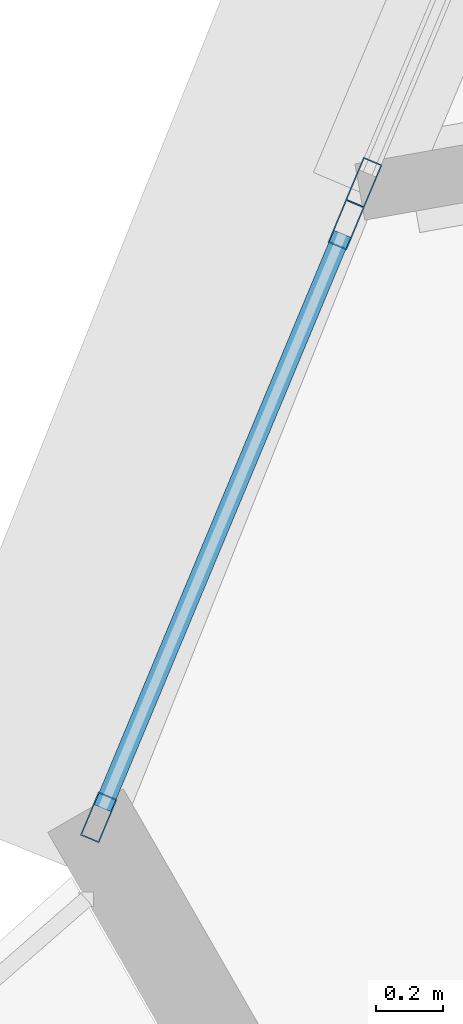
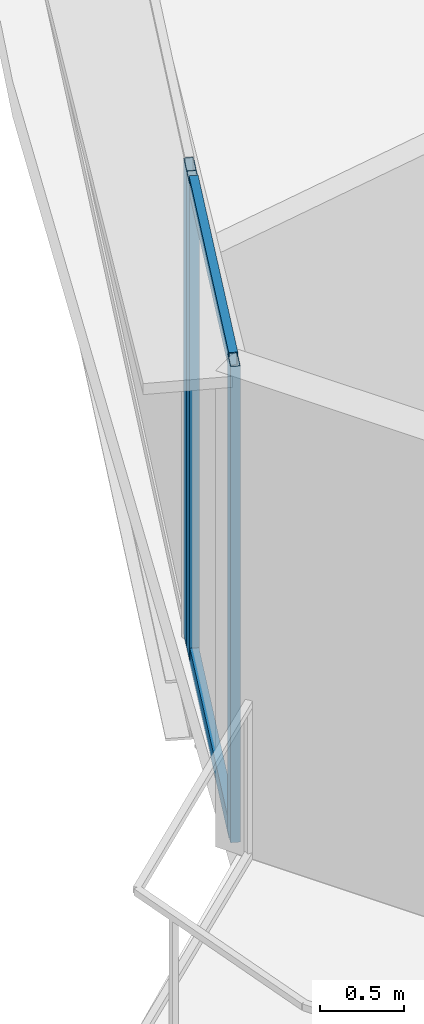
# One storey, part 4 of 34: 5 members, 2 elements without a shape of their own.
"""IFC4 building model written with IfcOpenShell, lengths in metres."""

from ifc_helpers import new_model, si_unit, direction, frame, origin, origin_2d, place, context, subcontext, project, spatial, hollow_rectangle, extrude, source, transform, mapped, material, layer, layer_set, material_profile, profile_set, type_object, element, aggregate, save


model = new_model("IFC4")

# Units and contexts
model_context = context("Model", 3, precision=1e-05, world=origin(), true_north=direction((0.0, 1.0)))
body_context = subcontext(model_context, "Body", "Model", "MODEL_VIEW")
ifc_project = project(units=[si_unit("LENGTHUNIT", "METRE"), si_unit("AREAUNIT", "SQUARE_METRE"), si_unit("VOLUMEUNIT", "CUBIC_METRE"), si_unit("PLANEANGLEUNIT", "RADIAN"), si_unit("MASSUNIT", "GRAM", prefix="KILO"), si_unit("THERMODYNAMICTEMPERATUREUNIT", "KELVIN"), si_unit("POWERUNIT", "WATT")], contexts=[model_context])

# Site, building, storey
site_placement = place(None, origin())
site = spatial("IfcSite", under=ifc_project, at=site_placement, CompositionType="ELEMENT")
building_placement = place(site_placement, origin())
building = spatial("IfcBuilding", under=site, at=building_placement, Name="Yunzhuo Pagoda Commons", CompositionType="ELEMENT")
storey_placement = place(building_placement, frame((0.0, 0.0, 233.340087890625)))
storey = spatial("IfcBuildingStorey", under=building, at=storey_placement, Name="L58", CompositionType="ELEMENT", Elevation=233.340087890625)

# Curtain wall, member
ifc_material = material(Name="Anodized aluminium 6063-T6", Category="aluminium")
ifc_layer = layer(ifc_material, 0.139892578125)
ifc_layer_set = layer_set([ifc_layer], Name="Anodized aluminium 6063-T6")
curtain_wall_type = type_object("IfcCurtainWallType", Name="CW-HI High-Zone Ribbon Curtain Wall", PredefinedType="NOTDEFINED", material=ifc_layer_set)
curtain_wall_1_placement = place(storey_placement, origin())
curtain_wall_1 = element("IfcCurtainWall", 1, at=curtain_wall_1_placement, inside=storey, type_object=curtain_wall_type, Name="L58 curtain wall CW-L58-F3B4", PredefinedType="NOTDEFINED")
ifc_material_profile_1 = material_profile(ifc_material, hollow_rectangle(XDim=0.06005859375, YDim=0.139892578125, WallThickness=0.00341796875, at=origin_2d()), Name="Anodized aluminium 6063-T6")
ifc_profile_set_1 = profile_set([ifc_material_profile_1], Name="Anodized aluminium 6063-T6")
member_type_1 = type_object("IfcMemberType", Name="CW-HI-M Mullion RHS 140x60x3.5", PredefinedType="MULLION", material=ifc_profile_set_1)
shared_shape_1 = source(origin(), body_context, "Body", "SweptSolid", [
    extrude(hollow_rectangle(XDim=0.06005859375, YDim=0.139892578125, WallThickness=0.00341796875, at=origin_2d()), origin(), (0.0, 0.0, 1.0), 3.469970703125),
])
member_1_placement = place(storey_placement, frame((12.589111328125, 27.48193359375, 0.0), z_axis=(0.0, 0.0, 1.0), x_axis=(0.92158893956, -0.388167266112, 0.0)))
member_1 = element("IfcMember", 2, at=member_1_placement, type_object=member_type_1, Name="CW mullion 2", PredefinedType="MULLION", context=body_context, shape_type="MappedRepresentation", body=[
    mapped(shared_shape_1, transform((0.0, 0.0, 0.0), scale=1.0)),
])
aggregate(curtain_wall_1, [member_1])

# Curtain wall, members
curtain_wall_2_placement = place(storey_placement, origin())
curtain_wall_2 = element("IfcCurtainWall", 3, at=curtain_wall_2_placement, inside=storey, type_object=curtain_wall_type, Name="L58 curtain wall CW-L58-F3B5", PredefinedType="NOTDEFINED")
member_2_placement = place(storey_placement, frame((12.537109375, 27.357177734375, 0.0), z_axis=(0.0, 0.0, 1.0), x_axis=(0.922772675165, -0.385344767667, 0.0)))
member_2 = element("IfcMember", 4, at=member_2_placement, type_object=member_type_1, Name="CW mullion 1", PredefinedType="MULLION", context=body_context, shape_type="MappedRepresentation", body=[
    mapped(shared_shape_1, transform((0.0, 0.0, 0.0), scale=1.0)),
])
member_3_placement = place(storey_placement, frame((11.798828125, 25.589599609375, 0.0), z_axis=(0.0, 0.0, 1.0), x_axis=(0.922772675165, -0.385344767667, 0.0)))
member_3 = element("IfcMember", 5, at=member_3_placement, type_object=member_type_1, Name="CW mullion 2", PredefinedType="MULLION", context=body_context, shape_type="MappedRepresentation", body=[
    mapped(shared_shape_1, transform((0.0, 0.0, 0.0), scale=1.0)),
])
ifc_material_profile_2 = material_profile(ifc_material, hollow_rectangle(XDim=0.054931640625, YDim=0.1201171875, WallThickness=0.00341796875, at=origin_2d()), Name="Anodized aluminium 6063-T6")
ifc_profile_set_2 = profile_set([ifc_material_profile_2], Name="Anodized aluminium 6063-T6")
member_type_2 = type_object("IfcMemberType", Name="CW-HI-T Transom RHS 120x55x3.5", PredefinedType="USERDEFINED", material=ifc_profile_set_2)
shared_shape_2 = source(origin(), body_context, "Body", "SweptSolid", [
    extrude(hollow_rectangle(XDim=0.054931640625, YDim=0.1201171875, WallThickness=0.00341796875, at=origin_2d()), origin(), (0.0, 0.0, 1.0), 1.85595703125),
])
member_4_placement = place(storey_placement, frame((12.525390625, 27.32958984375, 0.02734375), z_axis=(-0.385297137482, -0.922792563823, 0.0), x_axis=(0.922792563823, -0.385297137482, 0.0)))
member_4 = element("IfcMember", 6, at=member_4_placement, type_object=member_type_2, Name="CW transom 1.1", ObjectType="TRANSOM", PredefinedType="USERDEFINED", context=body_context, shape_type="MappedRepresentation", body=[
    mapped(shared_shape_2, transform((0.0, 0.0, 0.0), scale=1.0)),
])
member_5_placement = place(storey_placement, frame((12.525390625, 27.32958984375, 3.4423828125), z_axis=(-0.385297137482, -0.922792563823, 0.0), x_axis=(0.922792563823, -0.385297137482, 0.0)))
member_5 = element("IfcMember", 7, at=member_5_placement, type_object=member_type_2, Name="CW transom 1.2", ObjectType="TRANSOM", PredefinedType="USERDEFINED", context=body_context, shape_type="MappedRepresentation", body=[
    mapped(shared_shape_2, transform((0.0, 0.0, 0.0), scale=1.0)),
])
aggregate(curtain_wall_2, [member_2, member_3, member_4, member_5])

save(model, "model.ifc")
